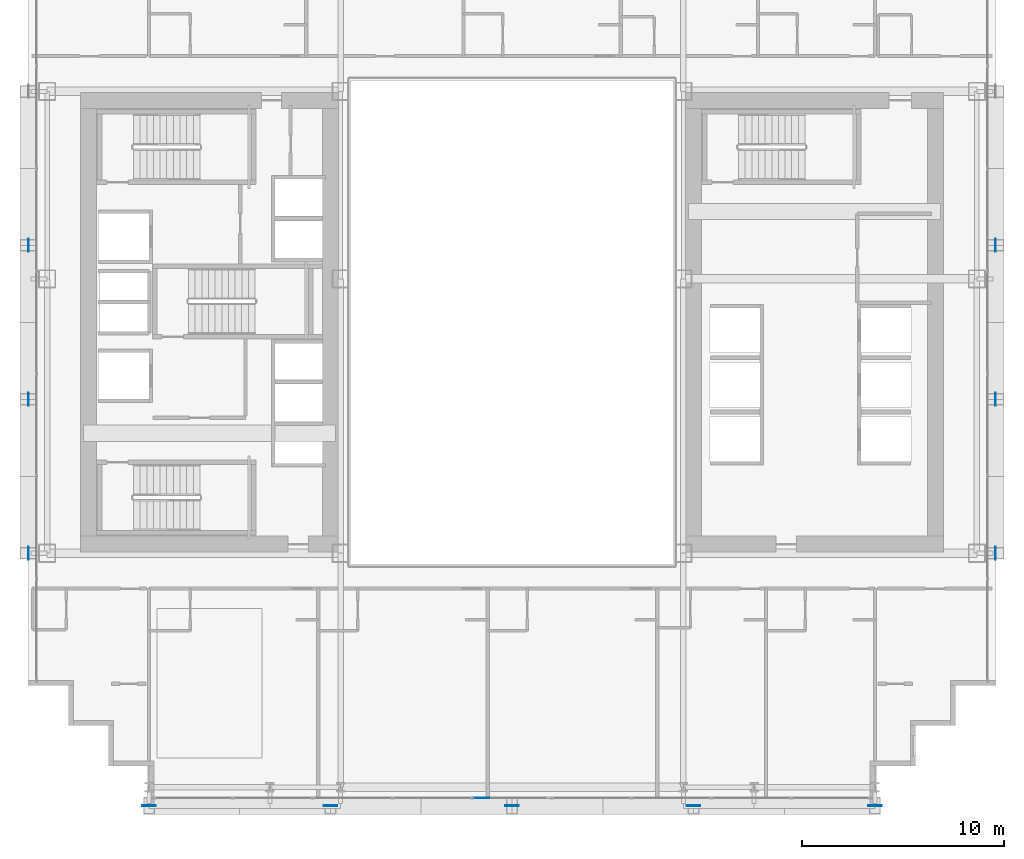
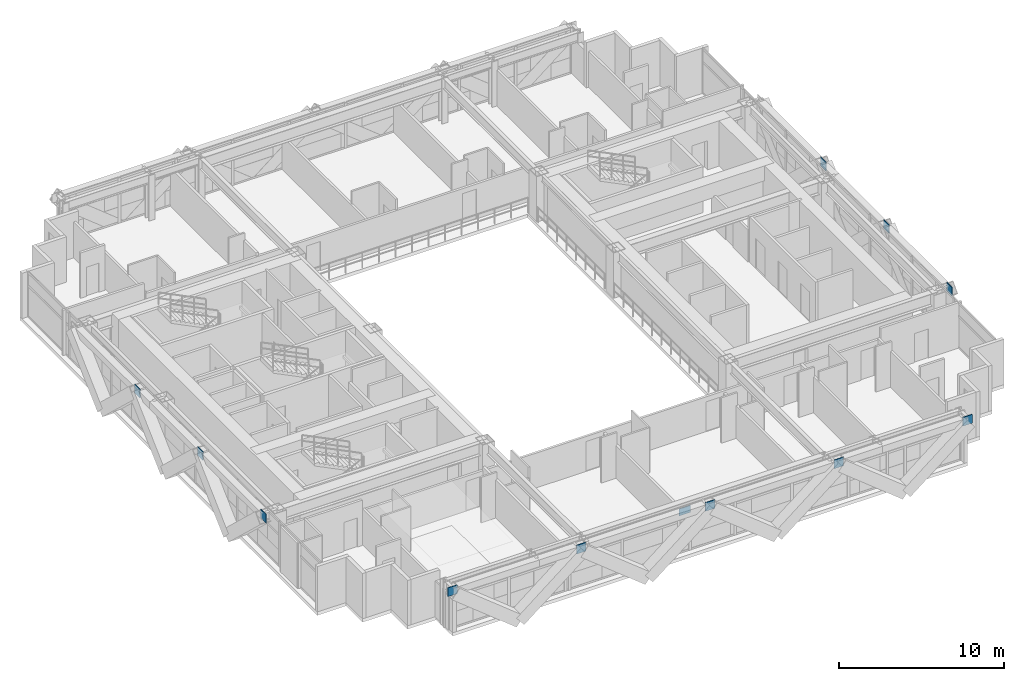
# One storey, part 28 of 38: 12 plates, 1 element without a shape of its own.
"""IFC4 building model written with IfcOpenShell, lengths in metres."""

from ifc_helpers import new_model, si_unit, direction, frame, origin, origin_2d, place, context, subcontext, project, spatial, rectangle, extrude, source, transform, mapped, material, layer, layer_set, type_object, element, aggregate, save


model = new_model("IFC4")

# Units and contexts
model_context = context("Model", 3, precision=1e-05, world=origin(), true_north=direction((0.0, 1.0)))
body_context = subcontext(model_context, "Body", "Model", "MODEL_VIEW")
ifc_project = project(units=[si_unit("LENGTHUNIT", "METRE"), si_unit("AREAUNIT", "SQUARE_METRE"), si_unit("VOLUMEUNIT", "CUBIC_METRE"), si_unit("PLANEANGLEUNIT", "RADIAN"), si_unit("MASSUNIT", "GRAM", prefix="KILO")], contexts=[model_context])

# Site, building, storey
site_placement = place(None, origin())
site = spatial("IfcSite", under=ifc_project, at=site_placement, CompositionType="ELEMENT")
building_placement = place(site_placement, origin())
building = spatial("IfcBuilding", under=site, at=building_placement, Name="Ocotamira Hotel", CompositionType="ELEMENT")
storey_placement = place(building_placement, frame((0.0, 0.0, 60.0)))
storey = spatial("IfcBuildingStorey", under=building, at=storey_placement, Name="L14", CompositionType="ELEMENT", Elevation=60.0)

# Plates
ifc_material_1 = material(Name="Pale-metal coated steel ASTM A572 Grade 50", Category="steel")
ifc_layer_1 = layer(ifc_material_1, 0.0400390625)
ifc_layer_set_1 = layer_set([ifc_layer_1], Name="Pale-metal coated steel ASTM A572 Grade 50")
plate_type_1 = type_object("IfcPlateType", Name="PLT-GUSSET-40", PredefinedType="SHEET", material=ifc_layer_set_1)
shared_shape_1 = source(origin(), body_context, "Body", "SweptSolid", [
    extrude(rectangle(XDim=0.64990234375, YDim=0.0400390625, at=origin_2d()), origin(), (0.0, 0.0, 1.0), 0.64990234375),
])
for number, where, z_axis, x_axis, name in (
    (1, (14.0, 2.030029296875, 2.775146484375), (0.0, 0.0, 1.0), (-1.0, 0.0, 0.0), "L14 Exoskeleton Diagrid S0.1 End Gusset B"),
    (2, (23.0, 2.030029296875, 2.775146484375), (0.0, 0.0, 1.0), (1.0, 0.0, 0.0), "L14 Exoskeleton Diagrid S0.2 End Gusset B"),
    (3, (32.0, 2.030029296875, 2.775146484375), (0.0, 0.0, 1.0), (1.0, 0.0, 0.0), "L14 Exoskeleton Diagrid S1.2 End Gusset B"),
    (4, (41.0, 2.030029296875, 2.775146484375), (0.0, 0.0, 1.0), (1.0, 0.0, 0.0), "L14 Exoskeleton Diagrid S2.2 End Gusset B"),
    (5, (50.0, 2.030029296875, 2.775146484375), (0.0, 0.0, 1.0), (1.0, 0.0, 0.0), "L14 Exoskeleton Diagrid S3.2 End Gusset B"),
):
    element("IfcPlate", number, at=place(storey_placement, frame(where, z_axis=z_axis, x_axis=x_axis)), inside=storey, type_object=plate_type_1, Name=name, PredefinedType="SHEET", context=body_context, shape_type="MappedRepresentation", body=[
        mapped(shared_shape_1, transform((0.0, 0.0, 0.0), scale=1.0)),
    ])
shared_shape_2 = source(origin(), body_context, "Body", "SweptSolid", [
    extrude(rectangle(XDim=0.0400390625, YDim=0.64990234375, at=origin_2d()), origin(), (0.0, 0.0, 1.0), 0.64990234375),
])
for number, where, z_axis, x_axis, name in (
    (6, (8.030029296875, 14.550048828125, 2.775146484375), (0.0, 0.0, 1.0), (1.0, 0.0, 0.0), "L14 Exoskeleton Diagrid W0.1 End Gusset B"),
    (7, (8.030029296875, 22.183349609375, 2.775146484375), (0.0, 0.0, 1.0), (1.0, 0.0, 0.0), "L14 Exoskeleton Diagrid W0.2 End Gusset B"),
    (8, (8.030029296875, 29.816650390625, 2.775146484375), (0.0, 0.0, 1.0), (1.0, 0.0, 0.0), "L14 Exoskeleton Diagrid W1.2 End Gusset B"),
    (9, (55.969970703125, 14.550048828125, 2.775146484375), (0.0, 0.0, 1.0), (1.0, 0.0, 0.0), "L14 Exoskeleton Diagrid E0.1 End Gusset B"),
    (10, (55.969970703125, 22.183349609375, 2.775146484375), (0.0, 0.0, 1.0), (1.0, 0.0, 0.0), "L14 Exoskeleton Diagrid E0.2 End Gusset B"),
    (11, (55.969970703125, 29.816650390625, 2.775146484375), (0.0, 0.0, 1.0), (1.0, 0.0, 0.0), "L14 Exoskeleton Diagrid E1.2 End Gusset B"),
):
    element("IfcPlate", number, at=place(storey_placement, frame(where, z_axis=z_axis, x_axis=x_axis)), inside=storey, type_object=plate_type_1, Name=name, PredefinedType="SHEET", context=body_context, shape_type="MappedRepresentation", body=[
        mapped(shared_shape_2, transform((0.0, 0.0, 0.0), scale=1.0)),
    ])

# Curtain wall, plate
ifc_material_2 = material(Name="Anodised pale-metal aluminium and solar glass", Category="aluminium")
ifc_layer_2 = layer(ifc_material_2, 0.179931640625)
ifc_layer_set_2 = layer_set([ifc_layer_2], Name="Anodised pale-metal aluminium and solar glass")
curtain_wall_type = type_object("IfcCurtainWallType", Name="CW-SYS2-Z1", PredefinedType="NOTDEFINED", material=ifc_layer_set_2)
curtain_wall_placement = place(storey_placement, origin())
curtain_wall = element("IfcCurtainWall", 12, at=curtain_wall_placement, inside=storey, type_object=curtain_wall_type, Name="L14 Curtain Wall CW-2 CW-L14-S1", PredefinedType="NOTDEFINED")
ifc_material_3 = material(Name="Double-silver low-E insulated solar glass", Category="glass")
ifc_layer_3 = layer(ifc_material_3, 0.031982421875)
ifc_layer_set_3 = layer_set([ifc_layer_3], Name="Double-silver low-E insulated solar glass")
plate_type_2 = type_object("IfcPlateType", Name="CWP-VISION-32", PredefinedType="CURTAIN_PANEL", material=ifc_layer_set_3)
shared_shape_3 = source(origin(), body_context, "Body", "SweptSolid", [
    extrude(rectangle(XDim=0.797607421875, YDim=0.031982421875, at=origin_2d()), origin(), (0.0, 0.0, 1.0), 0.5107421875),
])
plate_placement = place(storey_placement, frame((30.461181640625, 2.419921875, 2.76416015625), z_axis=(0.0, 0.0, 1.0), x_axis=(1.0, 0.0, 0.0)))
plate = element("IfcPlate", 13, at=plate_placement, type_object=plate_type_2, Name="CW-2 panel 5.2.1", PredefinedType="CURTAIN_PANEL", context=body_context, shape_type="MappedRepresentation", body=[
    mapped(shared_shape_3, transform((0.0, 0.0, 0.0), scale=1.0)),
])
aggregate(curtain_wall, [plate])

save(model, "model.ifc")
